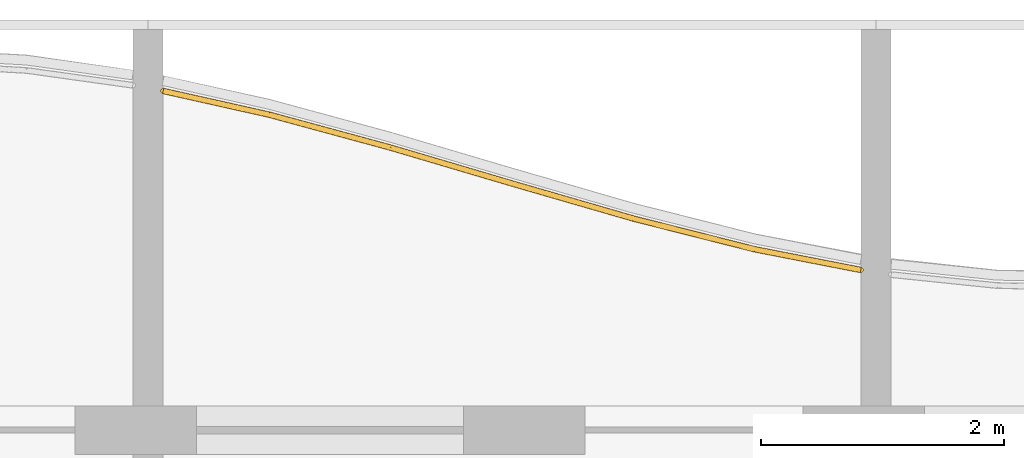
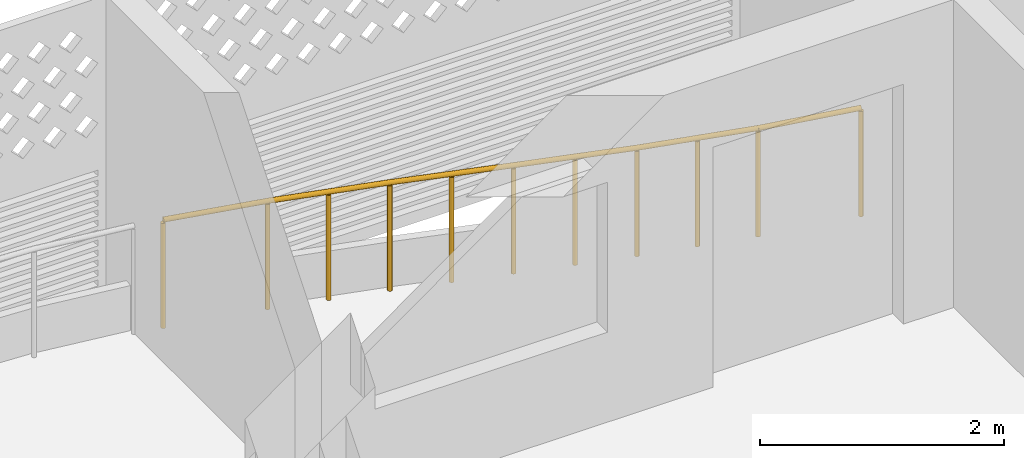
# One storey, part 26 of 29: 1 railing.
"""IFC4 building model written with IfcOpenShell, lengths in metres."""

import ifcopenshell
import ifcopenshell.guid

model = None  # the IFC model being written
_history = None  # IfcOwnerHistory: only IFC2X3 demands one
_inside = {}  # id of a spatial element -> (the spatial element, [elements in it])
_under = {}  # id of a project, library or spatial element -> (it, [spatial elements below it])
_declared = {}  # id of a project -> (the project, [libraries it declares])
_typed = {}  # id of a type object -> (the type object, [elements of that type])
_made_of = {}  # id of a material, layer set ... -> (it, [elements and type objects made of it])


def new_model(schema):
    """Start an empty IFC model of exactly this schema.

    Asked for "IFC4X3", IfcOpenShell would pick the latest addendum, in which some entities
    have other attributes; the version numbers below select the first issue.
    IFC2X3 requires an IfcOwnerHistory on every rooted entity: one is made here for all.
    """
    global model, _history
    if schema == "IFC4X3":
        model = ifcopenshell.file(schema_version=(4, 3, 0, 0))
    else:
        model = ifcopenshell.file(schema=schema)
    _inside.clear()
    _under.clear()
    _declared.clear()
    _typed.clear()
    _made_of.clear()
    _history = None
    if model.schema == "IFC2X3":
        org = make("IfcOrganization", Name="unknown")
        user = make(
            "IfcPersonAndOrganization",
            ThePerson=make("IfcPerson", FamilyName="unknown"),
            TheOrganization=org,
        )
        app = make(
            "IfcApplication",
            ApplicationDeveloper=org,
            Version="unknown",
            ApplicationFullName="unknown",
            ApplicationIdentifier="unknown",
        )
        _history = make(
            "IfcOwnerHistory",
            OwningUser=user,
            OwningApplication=app,
            ChangeAction="ADDED",
            CreationDate=0,
        )
    return model


def make(cls, **values):
    """One entity of the class cls with the attributes given. An attribute that is None is left unset."""
    return model.create_entity(
        cls, **{name: value for name, value in values.items() if value is not None}
    )


def rooted(cls, **values):
    """An entity with a GlobalId (a new one), such as an element, a storey or a relation."""
    return make(cls, GlobalId=ifcopenshell.guid.new(), OwnerHistory=_history, **values)


def si_unit(unit_type, name, prefix=None):
    """IfcSIUnit, for example si_unit("LENGTHUNIT", "METRE", prefix="MILLI")."""
    return make("IfcSIUnit", UnitType=unit_type, Prefix=prefix, Name=name)


def assignment(units):
    """IfcUnitAssignment: the units of a project."""
    return None if units is None else make("IfcUnitAssignment", Units=units)


def point(xyz):
    """IfcCartesianPoint."""
    return None if xyz is None else make("IfcCartesianPoint", Coordinates=xyz)


def direction(xyz):
    """IfcDirection."""
    return None if xyz is None else make("IfcDirection", DirectionRatios=xyz)


def frame(location, z_axis=None, x_axis=None):
    """IfcAxis2Placement3D, a coordinate frame: its origin and axes. An axis left out is left unset."""
    return make(
        "IfcAxis2Placement3D",
        Location=point(location),
        Axis=direction(z_axis),
        RefDirection=direction(x_axis),
    )


def frame_2d(location, x_axis=None):
    """IfcAxis2Placement2D, a coordinate frame in the plane: its origin and x axis."""
    return make(
        "IfcAxis2Placement2D", Location=point(location), RefDirection=direction(x_axis)
    )


def origin():
    """The frame at (0, 0, 0) with its axes left unset."""
    return frame((0.0, 0.0, 0.0))


def origin_2d():
    """The frame at (0, 0) in the plane with its x axis left unset."""
    return frame_2d((0.0, 0.0))


def place(relative_to, where):
    """IfcLocalPlacement: puts the frame where relative to a parent placement (None: the world)."""
    return make(
        "IfcLocalPlacement", PlacementRelTo=relative_to, RelativePlacement=where
    )


def context(
    kind, dimensions, precision=None, world=None, true_north=None, identifier=None
):
    """IfcGeometricRepresentationContext, for example the 3D "Model" context."""
    return make(
        "IfcGeometricRepresentationContext",
        ContextIdentifier=identifier,
        ContextType=kind,
        CoordinateSpaceDimension=dimensions,
        Precision=precision,
        WorldCoordinateSystem=world,
        TrueNorth=true_north,
    )


def subcontext(parent, identifier, kind, view, scale=None):
    """IfcGeometricRepresentationSubContext, for example "Body" below "Model"."""
    return make(
        "IfcGeometricRepresentationSubContext",
        ContextIdentifier=identifier,
        ContextType=kind,
        ParentContext=parent,
        TargetScale=scale,
        TargetView=view,
    )


def project(units=None, contexts=None):
    """IfcProject with its units and contexts."""
    return rooted(
        "IfcProject",
        Name="project",
        RepresentationContexts=contexts,
        UnitsInContext=assignment(units),
    )


def spatial(cls, under=None, at=None, **own):
    """A site, building, storey or space (cls), placed at a placement, below another one or the project."""
    s = rooted(cls, ObjectPlacement=at, **own)
    if under is not None:
        _under.setdefault(under.id(), (under, []))[1].append(s)
    return s


def profile(cls, at=None, kind="AREA", **sizes):
    """A parametric profile (cls). Its sizes go by their IFC names, for example OverallWidth=200.0."""
    return make(cls, ProfileType=kind, Position=at, **sizes)


def circle(**sizes):
    """IfcCircleProfileDef."""
    return profile("IfcCircleProfileDef", **sizes)


def extrude(swept, where, along, depth):
    """IfcExtrudedAreaSolid: the profile swept, set in the frame where, extruded along a direction by depth."""
    return make(
        "IfcExtrudedAreaSolid",
        SweptArea=swept,
        Position=where,
        ExtrudedDirection=direction(along),
        Depth=depth,
    )


def shape(context_of_items, identifier, shape_type, items):
    """IfcShapeRepresentation: the items that make up one representation, for example the "Body"."""
    return make(
        "IfcShapeRepresentation",
        ContextOfItems=context_of_items,
        RepresentationIdentifier=identifier,
        RepresentationType=shape_type,
        Items=items,
    )


def material(Name=None, Category=None):
    """IfcMaterial."""
    return make("IfcMaterial", Name=Name, Category=Category)


def made_of(thing, what):
    """Note that an element or type object is made of a material, layer set ...; save() writes the relation."""
    if what is not None:
        _made_of.setdefault(what.id(), (what, []))[1].append(thing)
    return thing


def type_object(cls, material=None, **own):
    """A type object (cls), such as IfcWallType, which elements share."""
    return made_of(rooted(cls, **own), material)


def element(
    cls,
    number,
    at=None,
    inside=None,
    cuts=None,
    type_object=None,
    material=None,
    context=None,
    identifier="Body",
    shape_type=None,
    held_by="IfcProductDefinitionShape",
    body=None,
    shapes=None,
    **own,
):
    """One element of the class cls, such as IfcWall. Its Tag is "e" and its number.

    at: its placement. inside: the storey or other place that contains it. cuts: it is an
    opening in that element (IfcRelVoidsElement). A single representation is given by context,
    identifier, shape_type and body (its items); several are given by shapes. held_by: the class
    of the entity that holds the representations. save() writes the other relations.
    """
    e = rooted(cls, Tag="e%d" % number, ObjectPlacement=at, **own)
    if body is not None:
        shapes = [shape(context, identifier, shape_type, body)]
    if shapes is not None:
        e.Representation = make(held_by, Representations=shapes)
    if inside is not None:
        _inside.setdefault(inside.id(), (inside, []))[1].append(e)
    if cuts is not None:
        rooted(
            "IfcRelVoidsElement", RelatingBuildingElement=cuts, RelatedOpeningElement=e
        )
    if type_object is not None:
        _typed.setdefault(type_object.id(), (type_object, []))[1].append(e)
    return made_of(e, material)


def aggregate(whole, parts):
    """IfcRelAggregates: a whole, such as a stair, and the parts it consists of."""
    return rooted("IfcRelAggregates", RelatingObject=whole, RelatedObjects=parts)


def save(model, path):
    """Write the relations noted so far, then the file.

    IfcRelAggregates (storeys below a building ...), IfcRelContainedInSpatialStructure (elements
    in a storey), IfcRelDefinesByType, IfcRelAssociatesMaterial and IfcRelDeclares: one each for
    every whole, place, type object, material and project.
    """
    for whole, parts in _under.values():
        aggregate(whole, parts)
    for where, things in _inside.values():
        rooted(
            "IfcRelContainedInSpatialStructure",
            RelatedElements=things,
            RelatingStructure=where,
        )
    for kind, things in _typed.values():
        rooted("IfcRelDefinesByType", RelatedObjects=things, RelatingType=kind)
    for what, things in _made_of.values():
        rooted("IfcRelAssociatesMaterial", RelatedObjects=things, RelatingMaterial=what)
    for by, libraries in _declared.values():
        rooted("IfcRelDeclares", RelatingContext=by, RelatedDefinitions=libraries)
    model.write(path)


model = new_model("IFC4")

# Units and contexts
model_context = context("Model", 3, precision=1e-05, world=origin(), true_north=direction((0.0, 1.0)))
body_context = subcontext(model_context, "Body", "Model", "MODEL_VIEW")
ifc_project = project(units=[si_unit("LENGTHUNIT", "METRE"), si_unit("AREAUNIT", "SQUARE_METRE"), si_unit("VOLUMEUNIT", "CUBIC_METRE"), si_unit("PLANEANGLEUNIT", "RADIAN"), si_unit("MASSUNIT", "GRAM", prefix="KILO")], contexts=[model_context])

# Site, building, storey
site_placement = place(None, origin())
site = spatial("IfcSite", under=ifc_project, at=site_placement, CompositionType="ELEMENT")
building_placement = place(site_placement, origin())
building = spatial("IfcBuilding", under=site, at=building_placement, Name="Poui Terraces", CompositionType="ELEMENT")
storey_placement = place(building_placement, frame((0.0, 0.0, 237.89990234375)))
storey = spatial("IfcBuildingStorey", under=building, at=storey_placement, Name="L66", CompositionType="ELEMENT", Elevation=237.89990234375)

# Railing
ifc_material = material(Name="Painted steel fretwork", Category="steel")
railing_type = type_object("IfcRailingType", Name="BALCONY GUARD 1100", PredefinedType="GUARDRAIL", material=ifc_material)
railing_placement = place(storey_placement, frame((66.125, 43.99560546875, 0.0)))
element("IfcRailing", 1, at=railing_placement, inside=storey, type_object=railing_type, Name="BALCONY GUARD", PredefinedType="GUARDRAIL", context=body_context, shape_type="SweptSolid", body=[
    extrude(circle(Radius=0.02392578125, at=origin_2d()), frame((0.0, 0.0, 1.076171875), z_axis=(0.975865661819, -0.218371724548, 0.0), x_axis=(0.218371724548, 0.975865661819, 0.0)), (0.0, 0.0, 1.0), 0.896728515625),
    extrude(circle(Radius=0.02392578125, at=origin_2d()), frame((0.875, -0.19580078125, 1.076171875), z_axis=(0.965067658743, -0.262000790167, 0.0), x_axis=(0.262000790167, 0.965067658743, 0.0)), (0.0, 0.0, 1.0), 1.0361328125),
    extrude(circle(Radius=0.02392578125, at=origin_2d()), frame((1.875, -0.46728515625, 1.076171875), z_axis=(0.959029275123, -0.283306988012, 0.0), x_axis=(0.283306988012, 0.959029275123, 0.0)), (0.0, 0.0, 1.0), 1.042724609375),
    extrude(circle(Radius=0.02392578125, at=origin_2d()), frame((2.875, -0.7626953125, 1.076171875), z_axis=(0.960669700127, -0.277693585193, 0.0), x_axis=(0.277693585193, 0.960669700127, 0.0)), (0.0, 0.0, 1.0), 1.041015625),
    extrude(circle(Radius=0.02392578125, at=origin_2d()), frame((3.875, -1.0517578125, 1.076171875), z_axis=(0.969470524151, -0.245207876714, 0.0), x_axis=(0.245207876714, 0.969470524151, 0.0)), (0.0, 0.0, 1.0), 1.031494140625),
    extrude(circle(Radius=0.02392578125, at=origin_2d()), frame((4.875, -1.3046875, 1.076171875), z_axis=(0.981455423077, -0.19169051232, 0.0), x_axis=(0.19169051232, 0.981455423077, 0.0)), (0.0, 0.0, 1.0), 0.8916015625),
    extrude(circle(Radius=0.02099609375, at=origin_2d()), origin(), (0.0, 0.0, 1.0), 1.052001953125),
    extrude(circle(Radius=0.02099609375, at=origin_2d()), frame((0.875, -0.19580078125, 0.0)), (0.0, 0.0, 1.0), 1.052001953125),
    extrude(circle(Radius=0.02099609375, at=origin_2d()), frame((1.375, -0.33154296875, 0.0)), (0.0, 0.0, 1.0), 1.052001953125),
    extrude(circle(Radius=0.02099609375, at=origin_2d()), frame((1.875, -0.46728515625, 0.0)), (0.0, 0.0, 1.0), 1.052001953125),
    extrude(circle(Radius=0.02099609375, at=origin_2d()), frame((2.375, -0.614990234375, 0.0)), (0.0, 0.0, 1.0), 1.052001953125),
    extrude(circle(Radius=0.02099609375, at=origin_2d()), frame((2.875, -0.7626953125, 0.0)), (0.0, 0.0, 1.0), 1.052001953125),
    extrude(circle(Radius=0.02099609375, at=origin_2d()), frame((3.375, -0.9072265625, 0.0)), (0.0, 0.0, 1.0), 1.052001953125),
    extrude(circle(Radius=0.02099609375, at=origin_2d()), frame((3.875, -1.0517578125, 0.0)), (0.0, 0.0, 1.0), 1.052001953125),
    extrude(circle(Radius=0.02099609375, at=origin_2d()), frame((4.375, -1.17822265625, 0.0)), (0.0, 0.0, 1.0), 1.052001953125),
    extrude(circle(Radius=0.02099609375, at=origin_2d()), frame((4.875, -1.3046875, 0.0)), (0.0, 0.0, 1.0), 1.052001953125),
    extrude(circle(Radius=0.02099609375, at=origin_2d()), frame((5.75, -1.4755859375, 0.0)), (0.0, 0.0, 1.0), 1.052001953125),
])

save(model, "model.ifc")
